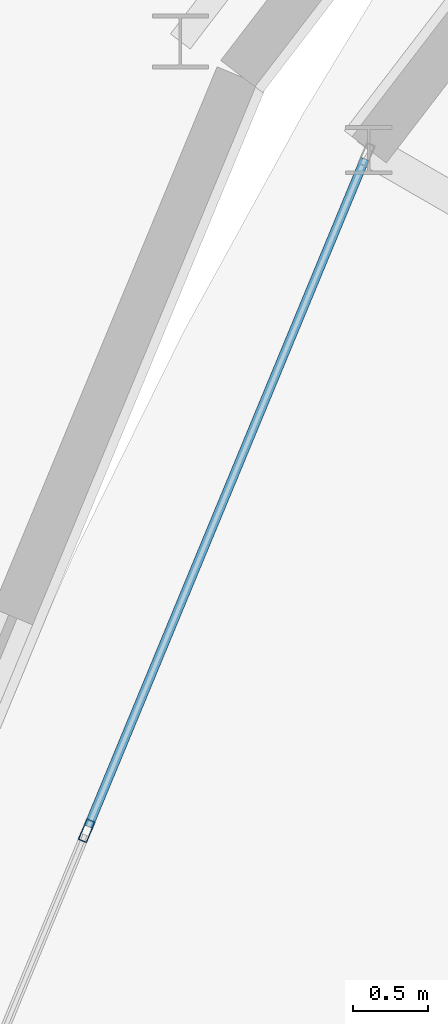
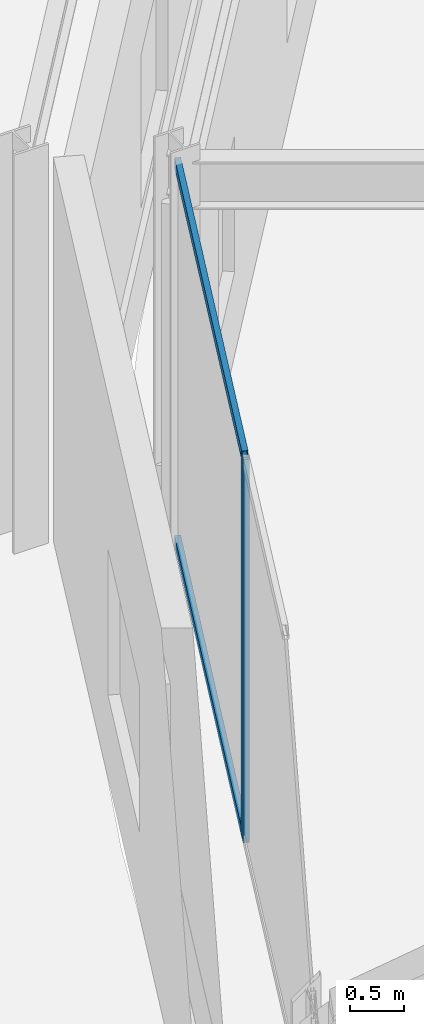
# One storey, part 59 of 157: 3 members, 1 element without a shape of its own.
"""IFC4 building model written with IfcOpenShell, lengths in metres."""

from ifc_helpers import new_model, si_unit, direction, frame, origin, origin_2d, place, context, subcontext, project, spatial, hollow_rectangle, extrude, material, material_profile, profile_set, type_object, element, aggregate, save


model = new_model("IFC4")

# Units and contexts
model_context = context("Model", 3, precision=1e-05, world=origin(), true_north=direction((0.0, 1.0)))
body_context = subcontext(model_context, "Body", "Model", "MODEL_VIEW")
ifc_project = project(units=[si_unit("LENGTHUNIT", "METRE"), si_unit("AREAUNIT", "SQUARE_METRE"), si_unit("VOLUMEUNIT", "CUBIC_METRE"), si_unit("PLANEANGLEUNIT", "RADIAN"), si_unit("MASSUNIT", "GRAM", prefix="KILO")], contexts=[model_context])

# Site, building, storey
site_placement = place(None, origin())
site = spatial("IfcSite", under=ifc_project, at=site_placement, CompositionType="ELEMENT")
building_placement = place(site_placement, origin())
building = spatial("IfcBuilding", under=site, at=building_placement, Name="Almandine Court Research Institute", CompositionType="ELEMENT")
storey_placement = place(building_placement, frame((0.0, 0.0, 5.25)))
storey = spatial("IfcBuildingStorey", under=building, at=storey_placement, Name="L01", CompositionType="ELEMENT", Elevation=5.25)

# Curtain wall, members
ifc_material_1 = material(Name="Unitised Curtain Wall Framing and Solar Glazing", Category="glass")
curtain_wall_type = type_object("IfcCurtainWallType", Name="CW-CWG-24", PredefinedType="USERDEFINED", material=ifc_material_1)
curtain_wall_placement = place(storey_placement, origin())
curtain_wall = element("IfcCurtainWall", 1, at=curtain_wall_placement, inside=storey, type_object=curtain_wall_type, Name="L01 Interaction Atrium Perimeter Curtain Wall 10", ObjectType="UNITISED GLAZING", PredefinedType="USERDEFINED")
ifc_material_2 = material(Name="Anodised Aluminium AW-6063-T6", Category="aluminium")
ifc_material_profile_1 = material_profile(ifc_material_2, hollow_rectangle(XDim=0.06005859375, YDim=0.14990234375, WallThickness=0.00390625, at=origin_2d()), Name="ALU RHS 60x150x4")
ifc_profile_set_1 = profile_set([ifc_material_profile_1], Name="Anodised Aluminium AW-6063-T6")
member_type_1 = type_object("IfcMemberType", Name="CWMul-60x150", PredefinedType="MULLION", material=ifc_profile_set_1)
member_1_placement = place(storey_placement, frame((52.512939453125, 70.284912109375, 0.0), z_axis=(0.0, 0.0, 1.0), x_axis=(-0.923900189297, 0.382633558665, 0.0)))
member_1 = element("IfcMember", 2, at=member_1_placement, type_object=member_type_1, Name="CWG-24 mullion 2", PredefinedType="MULLION", context=body_context, shape_type="SweptSolid", body=[
    extrude(hollow_rectangle(XDim=0.06005859375, YDim=0.14990234375, WallThickness=0.00390625, at=origin_2d()), origin(), (0.0, 0.0, 1.0), 4.3701171875),
])
ifc_material_profile_2 = material_profile(ifc_material_2, hollow_rectangle(XDim=0.06005859375, YDim=0.110107421875, WallThickness=0.00390625, at=origin_2d()), Name="ALU RHS 60x110x4")
ifc_profile_set_2 = profile_set([ifc_material_profile_2], Name="Anodised Aluminium AW-6063-T6")
member_type_2 = type_object("IfcMemberType", Name="CWTrn-60x110", PredefinedType="NOTDEFINED", material=ifc_profile_set_2)
member_2_placement = place(storey_placement, frame((52.5244140625, 70.312744140625, 0.030029296875), z_axis=(0.382661904477, 0.923888449361, 0.0), x_axis=(-0.923888449361, 0.382661904477, 0.0)))
member_2 = element("IfcMember", 3, at=member_2_placement, type_object=member_type_2, Name="CWG-24 transom 2.1", ObjectType="TRANSOM", PredefinedType="USERDEFINED", context=body_context, shape_type="SweptSolid", body=[
    extrude(hollow_rectangle(XDim=0.06005859375, YDim=0.110107421875, WallThickness=0.00390625, at=origin_2d()), origin(), (0.0, 0.0, 1.0), 4.82080078125),
])
member_3_placement = place(storey_placement, frame((52.5244140625, 70.312744140625, 4.340087890625), z_axis=(0.382661904477, 0.923888449361, 0.0), x_axis=(-0.923888449361, 0.382661904477, 0.0)))
member_3 = element("IfcMember", 4, at=member_3_placement, type_object=member_type_2, Name="CWG-24 transom 2.2", ObjectType="TRANSOM", PredefinedType="USERDEFINED", context=body_context, shape_type="SweptSolid", body=[
    extrude(hollow_rectangle(XDim=0.06005859375, YDim=0.110107421875, WallThickness=0.00390625, at=origin_2d()), origin(), (0.0, 0.0, 1.0), 4.82080078125),
])
aggregate(curtain_wall, [member_1, member_2, member_3])

save(model, "model.ifc")
